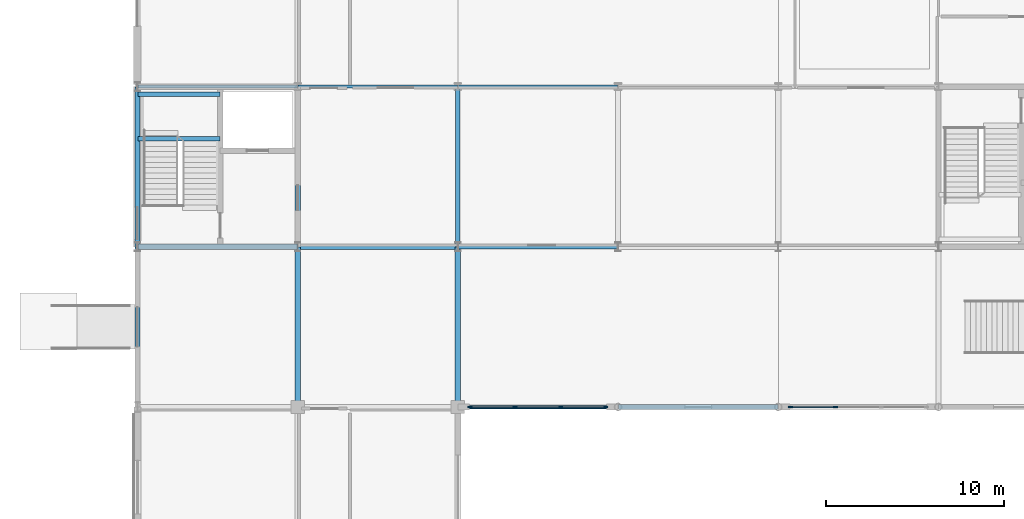
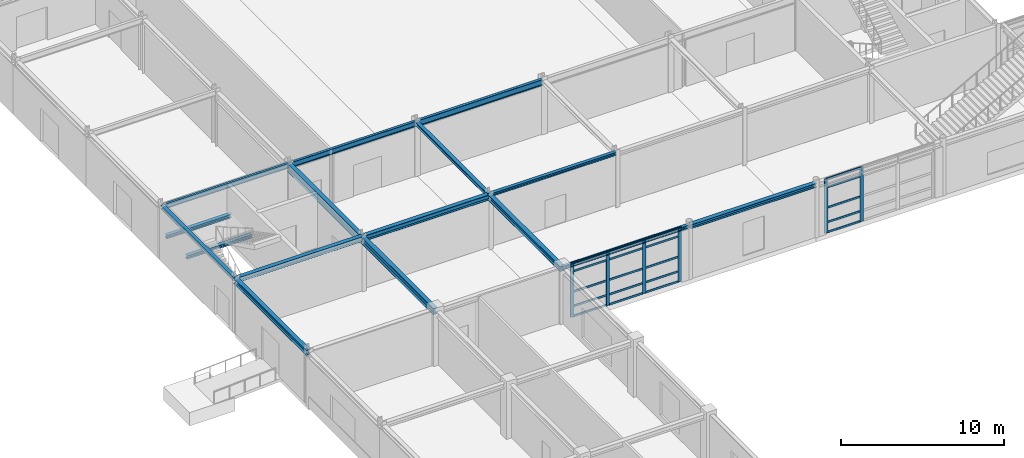
# One storey, part 30 of 72: 26 members, 16 beams, 2 elements without a shape of their own.
"""IFC4 building model written with IfcOpenShell, lengths in metres."""

from ifc_helpers import new_model, si_unit, direction, frame, origin, origin_2d, place, context, subcontext, project, spatial, rectangle, i_section, extrude, material, material_profile, profile_set, type_object, element, aggregate, save


model = new_model("IFC4")

# Units and contexts
model_context = context("Model", 3, precision=1e-05, world=origin(), true_north=direction((0.0, 1.0)))
body_context = subcontext(model_context, "Body", "Model", "MODEL_VIEW")
ifc_project = project(units=[si_unit("LENGTHUNIT", "METRE"), si_unit("AREAUNIT", "SQUARE_METRE"), si_unit("VOLUMEUNIT", "CUBIC_METRE"), si_unit("PLANEANGLEUNIT", "RADIAN"), si_unit("MASSUNIT", "GRAM", prefix="KILO")], contexts=[model_context])

# Site, building, storey
site_placement = place(None, origin())
site = spatial("IfcSite", under=ifc_project, at=site_placement, CompositionType="ELEMENT")
building_placement = place(site_placement, origin())
building = spatial("IfcBuilding", under=site, at=building_placement, Name="Palais des Congres Ocreval", CompositionType="ELEMENT")
storey_placement = place(building_placement, origin())
storey = spatial("IfcBuildingStorey", under=building, at=storey_placement, Name="L00", CompositionType="ELEMENT", Elevation=0.0)

# Beams
ifc_material_1 = material(Name="Steel S355", Category="steel")
ifc_material_profile_1 = material_profile(ifc_material_1, i_section(OverallWidth=0.169921875, OverallDepth=0.360107421875, WebThickness=0.008056640625, FlangeThickness=0.0126953125, at=origin_2d()), Name="IPE 360")
ifc_profile_set_1 = profile_set([ifc_material_profile_1], Name="Steel S355")
beam_type_1 = type_object("IfcBeamType", Name="Composite Beam IPE 360 Steel S355", PredefinedType="BEAM", material=ifc_profile_set_1)
beam_1_placement = place(storey_placement, frame((0.02001953125, 90.0, 3.875), z_axis=(1.0, 0.0, 0.0), x_axis=(0.0, 1.0, 0.0)))
element("IfcBeam", 1, at=beam_1_placement, inside=storey, type_object=beam_type_1, Name="Beam B01 L00", PredefinedType="BEAM", context=body_context, shape_type="SweptSolid", body=[
    extrude(i_section(OverallWidth=0.169921875, OverallDepth=0.360107421875, WebThickness=0.008056640625, FlangeThickness=0.0126953125, at=origin_2d()), origin(), (0.0, 0.0, 1.0), 8.9599609375),
])
ifc_material_profile_2 = material_profile(ifc_material_1, i_section(OverallWidth=0.179931640625, OverallDepth=0.39990234375, WebThickness=0.008544921875, FlangeThickness=0.013427734375, at=origin_2d()), Name="IPE 400")
ifc_profile_set_2 = profile_set([ifc_material_profile_2], Name="Steel S355")
beam_type_2 = type_object("IfcBeamType", Name="Composite Beam IPE 400 Steel S355", PredefinedType="BEAM", material=ifc_profile_set_2)
beam_2_placement = place(storey_placement, frame((9.02001953125, 90.0, 3.85498046875), z_axis=(1.0, 0.0, 0.0), x_axis=(0.0, 1.0, 0.0)))
element("IfcBeam", 2, at=beam_2_placement, inside=storey, type_object=beam_type_2, Name="Beam B02 L00", PredefinedType="BEAM", context=body_context, shape_type="SweptSolid", body=[
    extrude(i_section(OverallWidth=0.179931640625, OverallDepth=0.39990234375, WebThickness=0.008544921875, FlangeThickness=0.013427734375, at=origin_2d()), origin(), (0.0, 0.0, 1.0), 8.9599609375),
])
ifc_material_profile_3 = material_profile(ifc_material_1, i_section(OverallWidth=0.18994140625, OverallDepth=0.449951171875, WebThickness=0.009521484375, FlangeThickness=0.0146484375, at=origin_2d()), Name="IPE 450")
ifc_profile_set_3 = profile_set([ifc_material_profile_3], Name="Steel S355")
beam_type_3 = type_object("IfcBeamType", Name="Composite Beam IPE 450 Steel S355", PredefinedType="BEAM", material=ifc_profile_set_3)
beam_3_placement = place(storey_placement, frame((18.02001953125, 90.0, 3.830078125), z_axis=(1.0, 0.0, 0.0), x_axis=(0.0, 1.0, 0.0)))
element("IfcBeam", 3, at=beam_3_placement, inside=storey, type_object=beam_type_3, Name="Beam B03 L00", PredefinedType="BEAM", context=body_context, shape_type="SweptSolid", body=[
    extrude(i_section(OverallWidth=0.18994140625, OverallDepth=0.449951171875, WebThickness=0.009521484375, FlangeThickness=0.0146484375, at=origin_2d()), origin(), (0.0, 0.0, 1.0), 8.9599609375),
])

# Curtain wall, members
ifc_material_2 = material(Name="Anodized bronze aluminium and low-E glass", Category="glass")
curtain_wall_type = type_object("IfcCurtainWallType", Name="Unitised Curtain Wall 7900x4060", PredefinedType="USERDEFINED", material=ifc_material_2)
curtain_wall_1_placement = place(storey_placement, origin())
curtain_wall_1 = element("IfcCurtainWall", 4, at=curtain_wall_1_placement, inside=storey, type_object=curtain_wall_type, Name="Unitised Curtain Wall CW01 L00", ObjectType="UNITISED CURTAIN WALL", PredefinedType="USERDEFINED")
ifc_material_3 = material(Name="Anodized bronze aluminium", Category="aluminium")
ifc_material_profile_4 = material_profile(ifc_material_3, rectangle(XDim=0.074951171875, YDim=0.239990234375, at=origin_2d()), Name="ALU 75x240")
ifc_profile_set_4 = profile_set([ifc_material_profile_4], Name="Anodized bronze aluminium")
member_type_1 = type_object("IfcMemberType", Name="Curtain Wall Mullion ALU 75x240", PredefinedType="MULLION", material=ifc_profile_set_4)
member_1_placement = place(storey_placement, frame((39.216796875, 72.0, 0.0), z_axis=(0.0, 0.0, 1.0), x_axis=(0.0, -1.0, 0.0)))
member_1 = element("IfcMember", 5, at=member_1_placement, type_object=member_type_1, Name="Curtain Wall Mullion ML01", PredefinedType="MULLION", context=body_context, shape_type="SweptSolid", body=[
    extrude(rectangle(XDim=0.074951171875, YDim=0.239990234375, at=origin_2d()), origin(), (0.0, 0.0, 1.0), 4.054931640625),
])
member_2_placement = place(storey_placement, frame((36.6875, 72.0, 0.0), z_axis=(0.0, 0.0, 1.0), x_axis=(0.0, -1.0, 0.0)))
member_2 = element("IfcMember", 6, at=member_2_placement, type_object=member_type_1, Name="Curtain Wall Mullion ML01", PredefinedType="MULLION", context=body_context, shape_type="SweptSolid", body=[
    extrude(rectangle(XDim=0.074951171875, YDim=0.239990234375, at=origin_2d()), origin(), (0.0, 0.0, 1.0), 4.054931640625),
])

curtain_wall_2_placement = place(storey_placement, origin())
curtain_wall_2 = element("IfcCurtainWall", 7, at=curtain_wall_2_placement, inside=storey, type_object=curtain_wall_type, Name="Unitised Curtain Wall CW01 L00", ObjectType="UNITISED CURTAIN WALL", PredefinedType="USERDEFINED")
member_3_placement = place(storey_placement, frame((26.3125, 72.0, 0.0), z_axis=(0.0, 0.0, 1.0), x_axis=(0.0, -1.0, 0.0)))
member_3 = element("IfcMember", 8, at=member_3_placement, type_object=member_type_1, Name="Curtain Wall Mullion ML01", PredefinedType="MULLION", context=body_context, shape_type="SweptSolid", body=[
    extrude(rectangle(XDim=0.074951171875, YDim=0.239990234375, at=origin_2d()), origin(), (0.0, 0.0, 1.0), 4.054931640625),
])
member_4_placement = place(storey_placement, frame((23.783203125, 72.0, 0.0), z_axis=(0.0, 0.0, 1.0), x_axis=(0.0, -1.0, 0.0)))
member_4 = element("IfcMember", 9, at=member_4_placement, type_object=member_type_1, Name="Curtain Wall Mullion ML01", PredefinedType="MULLION", context=body_context, shape_type="SweptSolid", body=[
    extrude(rectangle(XDim=0.074951171875, YDim=0.239990234375, at=origin_2d()), origin(), (0.0, 0.0, 1.0), 4.054931640625),
])
member_5_placement = place(storey_placement, frame((21.216796875, 72.0, 0.0), z_axis=(0.0, 0.0, 1.0), x_axis=(0.0, -1.0, 0.0)))
member_5 = element("IfcMember", 10, at=member_5_placement, type_object=member_type_1, Name="Curtain Wall Mullion ML01", PredefinedType="MULLION", context=body_context, shape_type="SweptSolid", body=[
    extrude(rectangle(XDim=0.074951171875, YDim=0.239990234375, at=origin_2d()), origin(), (0.0, 0.0, 1.0), 4.054931640625),
])
member_6_placement = place(storey_placement, frame((18.6875, 72.0, 0.0), z_axis=(0.0, 0.0, 1.0), x_axis=(0.0, -1.0, 0.0)))
member_6 = element("IfcMember", 11, at=member_6_placement, type_object=member_type_1, Name="Curtain Wall Mullion ML01", PredefinedType="MULLION", context=body_context, shape_type="SweptSolid", body=[
    extrude(rectangle(XDim=0.074951171875, YDim=0.239990234375, at=origin_2d()), origin(), (0.0, 0.0, 1.0), 4.054931640625),
])

# Member
ifc_material_profile_5 = material_profile(ifc_material_3, rectangle(XDim=0.06005859375, YDim=0.14990234375, at=origin_2d()), Name="ALU 60x150")
ifc_profile_set_5 = profile_set([ifc_material_profile_5], Name="Anodized bronze aluminium")
member_type_2 = type_object("IfcMemberType", Name="Curtain Wall Transom ALU 60x150", PredefinedType="USERDEFINED", material=ifc_profile_set_5)
member_7_placement = place(storey_placement, frame((39.17919921875, 72.0, 0.030029296875), z_axis=(-1.0, 0.0, 0.0), x_axis=(0.0, -1.0, 0.0)))
member_7 = element("IfcMember", 12, at=member_7_placement, type_object=member_type_2, Name="Curtain Wall Transom TR01", ObjectType="TRANSOM", PredefinedType="USERDEFINED", context=body_context, shape_type="SweptSolid", body=[
    extrude(rectangle(XDim=0.06005859375, YDim=0.14990234375, at=origin_2d()), origin(), (0.0, 0.0, 1.0), 2.4541015625),
])

member_8_placement = place(storey_placement, frame((39.17919921875, 72.0, 0.780029296875), z_axis=(-1.0, 0.0, 0.0), x_axis=(0.0, -1.0, 0.0)))
member_8 = element("IfcMember", 13, at=member_8_placement, type_object=member_type_2, Name="Curtain Wall Transom TR01", ObjectType="TRANSOM", PredefinedType="USERDEFINED", context=body_context, shape_type="SweptSolid", body=[
    extrude(rectangle(XDim=0.06005859375, YDim=0.14990234375, at=origin_2d()), origin(), (0.0, 0.0, 1.0), 2.4541015625),
])

member_9_placement = place(storey_placement, frame((39.17919921875, 72.0, 1.872802734375), z_axis=(-1.0, 0.0, 0.0), x_axis=(0.0, -1.0, 0.0)))
member_9 = element("IfcMember", 14, at=member_9_placement, type_object=member_type_2, Name="Curtain Wall Transom TR01", ObjectType="TRANSOM", PredefinedType="USERDEFINED", context=body_context, shape_type="SweptSolid", body=[
    extrude(rectangle(XDim=0.06005859375, YDim=0.14990234375, at=origin_2d()), origin(), (0.0, 0.0, 1.0), 2.4541015625),
])

member_10_placement = place(storey_placement, frame((39.17919921875, 72.0, 3.405029296875), z_axis=(-1.0, 0.0, 0.0), x_axis=(0.0, -1.0, 0.0)))
member_10 = element("IfcMember", 15, at=member_10_placement, type_object=member_type_2, Name="Curtain Wall Transom TR01", ObjectType="TRANSOM", PredefinedType="USERDEFINED", context=body_context, shape_type="SweptSolid", body=[
    extrude(rectangle(XDim=0.06005859375, YDim=0.14990234375, at=origin_2d()), origin(), (0.0, 0.0, 1.0), 2.4541015625),
])

member_11_placement = place(storey_placement, frame((39.17919921875, 72.0, 4.02490234375), z_axis=(-1.0, 0.0, 0.0), x_axis=(0.0, -1.0, 0.0)))
member_11 = element("IfcMember", 16, at=member_11_placement, type_object=member_type_2, Name="Curtain Wall Transom TR01", ObjectType="TRANSOM", PredefinedType="USERDEFINED", context=body_context, shape_type="SweptSolid", body=[
    extrude(rectangle(XDim=0.06005859375, YDim=0.14990234375, at=origin_2d()), origin(), (0.0, 0.0, 1.0), 2.4541015625),
])

aggregate(curtain_wall_1, [member_1, member_2, member_7, member_8, member_9, member_10, member_11])

member_12_placement = place(storey_placement, frame((26.27490234375, 72.0, 0.030029296875), z_axis=(-1.0, 0.0, 0.0), x_axis=(0.0, -1.0, 0.0)))
member_12 = element("IfcMember", 17, at=member_12_placement, type_object=member_type_2, Name="Curtain Wall Transom TR01", ObjectType="TRANSOM", PredefinedType="USERDEFINED", context=body_context, shape_type="SweptSolid", body=[
    extrude(rectangle(XDim=0.06005859375, YDim=0.14990234375, at=origin_2d()), origin(), (0.0, 0.0, 1.0), 2.4541015625),
])

member_13_placement = place(storey_placement, frame((26.27490234375, 72.0, 0.780029296875), z_axis=(-1.0, 0.0, 0.0), x_axis=(0.0, -1.0, 0.0)))
member_13 = element("IfcMember", 18, at=member_13_placement, type_object=member_type_2, Name="Curtain Wall Transom TR01", ObjectType="TRANSOM", PredefinedType="USERDEFINED", context=body_context, shape_type="SweptSolid", body=[
    extrude(rectangle(XDim=0.06005859375, YDim=0.14990234375, at=origin_2d()), origin(), (0.0, 0.0, 1.0), 2.4541015625),
])

member_14_placement = place(storey_placement, frame((26.27490234375, 72.0, 1.872802734375), z_axis=(-1.0, 0.0, 0.0), x_axis=(0.0, -1.0, 0.0)))
member_14 = element("IfcMember", 19, at=member_14_placement, type_object=member_type_2, Name="Curtain Wall Transom TR01", ObjectType="TRANSOM", PredefinedType="USERDEFINED", context=body_context, shape_type="SweptSolid", body=[
    extrude(rectangle(XDim=0.06005859375, YDim=0.14990234375, at=origin_2d()), origin(), (0.0, 0.0, 1.0), 2.4541015625),
])

member_15_placement = place(storey_placement, frame((26.27490234375, 72.0, 3.405029296875), z_axis=(-1.0, 0.0, 0.0), x_axis=(0.0, -1.0, 0.0)))
member_15 = element("IfcMember", 20, at=member_15_placement, type_object=member_type_2, Name="Curtain Wall Transom TR01", ObjectType="TRANSOM", PredefinedType="USERDEFINED", context=body_context, shape_type="SweptSolid", body=[
    extrude(rectangle(XDim=0.06005859375, YDim=0.14990234375, at=origin_2d()), origin(), (0.0, 0.0, 1.0), 2.4541015625),
])

member_16_placement = place(storey_placement, frame((26.27490234375, 72.0, 4.02490234375), z_axis=(-1.0, 0.0, 0.0), x_axis=(0.0, -1.0, 0.0)))
member_16 = element("IfcMember", 21, at=member_16_placement, type_object=member_type_2, Name="Curtain Wall Transom TR01", ObjectType="TRANSOM", PredefinedType="USERDEFINED", context=body_context, shape_type="SweptSolid", body=[
    extrude(rectangle(XDim=0.06005859375, YDim=0.14990234375, at=origin_2d()), origin(), (0.0, 0.0, 1.0), 2.4541015625),
])

member_17_placement = place(storey_placement, frame((23.745849609375, 72.0, 0.030029296875), z_axis=(-1.0, 0.0, 0.0), x_axis=(0.0, -1.0, 0.0)))
member_17 = element("IfcMember", 22, at=member_17_placement, type_object=member_type_2, Name="Curtain Wall Transom TR01", ObjectType="TRANSOM", PredefinedType="USERDEFINED", context=body_context, shape_type="SweptSolid", body=[
    extrude(rectangle(XDim=0.06005859375, YDim=0.14990234375, at=origin_2d()), origin(), (0.0, 0.0, 1.0), 2.49169921875),
])

member_18_placement = place(storey_placement, frame((23.745849609375, 72.0, 0.780029296875), z_axis=(-1.0, 0.0, 0.0), x_axis=(0.0, -1.0, 0.0)))
member_18 = element("IfcMember", 23, at=member_18_placement, type_object=member_type_2, Name="Curtain Wall Transom TR01", ObjectType="TRANSOM", PredefinedType="USERDEFINED", context=body_context, shape_type="SweptSolid", body=[
    extrude(rectangle(XDim=0.06005859375, YDim=0.14990234375, at=origin_2d()), origin(), (0.0, 0.0, 1.0), 2.49169921875),
])

member_19_placement = place(storey_placement, frame((23.745849609375, 72.0, 1.872802734375), z_axis=(-1.0, 0.0, 0.0), x_axis=(0.0, -1.0, 0.0)))
member_19 = element("IfcMember", 24, at=member_19_placement, type_object=member_type_2, Name="Curtain Wall Transom TR01", ObjectType="TRANSOM", PredefinedType="USERDEFINED", context=body_context, shape_type="SweptSolid", body=[
    extrude(rectangle(XDim=0.06005859375, YDim=0.14990234375, at=origin_2d()), origin(), (0.0, 0.0, 1.0), 2.49169921875),
])

member_20_placement = place(storey_placement, frame((23.745849609375, 72.0, 3.405029296875), z_axis=(-1.0, 0.0, 0.0), x_axis=(0.0, -1.0, 0.0)))
member_20 = element("IfcMember", 25, at=member_20_placement, type_object=member_type_2, Name="Curtain Wall Transom TR01", ObjectType="TRANSOM", PredefinedType="USERDEFINED", context=body_context, shape_type="SweptSolid", body=[
    extrude(rectangle(XDim=0.06005859375, YDim=0.14990234375, at=origin_2d()), origin(), (0.0, 0.0, 1.0), 2.49169921875),
])

member_21_placement = place(storey_placement, frame((23.745849609375, 72.0, 4.02490234375), z_axis=(-1.0, 0.0, 0.0), x_axis=(0.0, -1.0, 0.0)))
member_21 = element("IfcMember", 26, at=member_21_placement, type_object=member_type_2, Name="Curtain Wall Transom TR01", ObjectType="TRANSOM", PredefinedType="USERDEFINED", context=body_context, shape_type="SweptSolid", body=[
    extrude(rectangle(XDim=0.06005859375, YDim=0.14990234375, at=origin_2d()), origin(), (0.0, 0.0, 1.0), 2.49169921875),
])

member_22_placement = place(storey_placement, frame((21.17919921875, 72.0, 0.030029296875), z_axis=(-1.0, 0.0, 0.0), x_axis=(0.0, -1.0, 0.0)))
member_22 = element("IfcMember", 27, at=member_22_placement, type_object=member_type_2, Name="Curtain Wall Transom TR01", ObjectType="TRANSOM", PredefinedType="USERDEFINED", context=body_context, shape_type="SweptSolid", body=[
    extrude(rectangle(XDim=0.06005859375, YDim=0.14990234375, at=origin_2d()), origin(), (0.0, 0.0, 1.0), 2.4541015625),
])

member_23_placement = place(storey_placement, frame((21.17919921875, 72.0, 0.780029296875), z_axis=(-1.0, 0.0, 0.0), x_axis=(0.0, -1.0, 0.0)))
member_23 = element("IfcMember", 28, at=member_23_placement, type_object=member_type_2, Name="Curtain Wall Transom TR01", ObjectType="TRANSOM", PredefinedType="USERDEFINED", context=body_context, shape_type="SweptSolid", body=[
    extrude(rectangle(XDim=0.06005859375, YDim=0.14990234375, at=origin_2d()), origin(), (0.0, 0.0, 1.0), 2.4541015625),
])

member_24_placement = place(storey_placement, frame((21.17919921875, 72.0, 1.872802734375), z_axis=(-1.0, 0.0, 0.0), x_axis=(0.0, -1.0, 0.0)))
member_24 = element("IfcMember", 29, at=member_24_placement, type_object=member_type_2, Name="Curtain Wall Transom TR01", ObjectType="TRANSOM", PredefinedType="USERDEFINED", context=body_context, shape_type="SweptSolid", body=[
    extrude(rectangle(XDim=0.06005859375, YDim=0.14990234375, at=origin_2d()), origin(), (0.0, 0.0, 1.0), 2.4541015625),
])

member_25_placement = place(storey_placement, frame((21.17919921875, 72.0, 3.405029296875), z_axis=(-1.0, 0.0, 0.0), x_axis=(0.0, -1.0, 0.0)))
member_25 = element("IfcMember", 30, at=member_25_placement, type_object=member_type_2, Name="Curtain Wall Transom TR01", ObjectType="TRANSOM", PredefinedType="USERDEFINED", context=body_context, shape_type="SweptSolid", body=[
    extrude(rectangle(XDim=0.06005859375, YDim=0.14990234375, at=origin_2d()), origin(), (0.0, 0.0, 1.0), 2.4541015625),
])

member_26_placement = place(storey_placement, frame((21.17919921875, 72.0, 4.02490234375), z_axis=(-1.0, 0.0, 0.0), x_axis=(0.0, -1.0, 0.0)))
member_26 = element("IfcMember", 31, at=member_26_placement, type_object=member_type_2, Name="Curtain Wall Transom TR01", ObjectType="TRANSOM", PredefinedType="USERDEFINED", context=body_context, shape_type="SweptSolid", body=[
    extrude(rectangle(XDim=0.06005859375, YDim=0.14990234375, at=origin_2d()), origin(), (0.0, 0.0, 1.0), 2.4541015625),
])

aggregate(curtain_wall_2, [member_3, member_4, member_5, member_6, member_12, member_13, member_14, member_15, member_16, member_17, member_18, member_19, member_20, member_21, member_22, member_23, member_24, member_25, member_26])

# Beams
ifc_material_profile_6 = material_profile(ifc_material_1, i_section(OverallWidth=0.260009765625, OverallDepth=0.260009765625, WebThickness=0.010009765625, FlangeThickness=0.017578125, at=origin_2d()), Name="HEB 260")
ifc_profile_set_6 = profile_set([ifc_material_profile_6], Name="Steel S355")
beam_type_4 = type_object("IfcBeamType", Name="Opening Lintel HEB 260 Steel S355", PredefinedType="LINTEL", material=ifc_profile_set_6)
for number, where, z_axis, x_axis, name in (
    (32, (0.0, 81.02001953125, 3.925048828125), (0.0, 1.0, 0.0), (-1.0, 0.0, 0.0), "Girder LN01 L00"),
    (33, (18.0, 81.02001953125, 3.925048828125), (0.0, 1.0, 0.0), (-1.0, 0.0, 0.0), "Girder LN01 L00"),
):
    element("IfcBeam", number, at=place(storey_placement, frame(where, z_axis=z_axis, x_axis=x_axis)), inside=storey, type_object=beam_type_4, Name=name, PredefinedType="LINTEL", context=body_context, shape_type="SweptSolid", body=[
        extrude(i_section(OverallWidth=0.260009765625, OverallDepth=0.260009765625, WebThickness=0.010009765625, FlangeThickness=0.017578125, at=origin_2d()), origin(), (0.0, 0.0, 1.0), 8.9599609375),
    ])
for number, where, z_axis, x_axis, name in (
    (34, (0.02001953125, 87.070068359375, 1.909912109375), (1.0, 0.0, 0.0), (0.0, 1.0, 0.0), "Stair Landing Support Beam ST05 L00-1"),
    (35, (0.02001953125, 89.580078125, 1.909912109375), (1.0, 0.0, 0.0), (0.0, 1.0, 0.0), "Stair Landing Support Beam ST05 L00-2"),
):
    element("IfcBeam", number, at=place(storey_placement, frame(where, z_axis=z_axis, x_axis=x_axis)), inside=storey, type_object=beam_type_4, Name=name, PredefinedType="LINTEL", context=body_context, shape_type="SweptSolid", body=[
        extrude(i_section(OverallWidth=0.260009765625, OverallDepth=0.260009765625, WebThickness=0.010009765625, FlangeThickness=0.017578125, at=origin_2d()), origin(), (0.0, 0.0, 1.0), 4.60986328125),
    ])
ifc_material_profile_7 = material_profile(ifc_material_1, i_section(OverallWidth=0.239990234375, OverallDepth=0.22998046875, WebThickness=0.007568359375, FlangeThickness=0.011962890625, at=origin_2d()), Name="HEA 240")
ifc_profile_set_7 = profile_set([ifc_material_profile_7], Name="Steel S355")
beam_type_5 = type_object("IfcBeamType", Name="Perimeter Spandrel HEA 240 Steel S355", PredefinedType="SPANDREL", material=ifc_profile_set_7)
for number, where, z_axis, x_axis, name in (
    (36, (18.02001953125, 72.0, 3.93994140625), (1.0, 0.0, 0.0), (0.0, 1.0, 0.0), "Beam SP01 L00"),
    (37, (18.02001953125, 81.0, 3.93994140625), (1.0, 0.0, 0.0), (0.0, 1.0, 0.0), "Beam SP01 L00"),
):
    element("IfcBeam", number, at=place(storey_placement, frame(where, z_axis=z_axis, x_axis=x_axis)), inside=storey, type_object=beam_type_5, Name=name, PredefinedType="SPANDREL", context=body_context, shape_type="SweptSolid", body=[
        extrude(i_section(OverallWidth=0.239990234375, OverallDepth=0.22998046875, WebThickness=0.007568359375, FlangeThickness=0.011962890625, at=origin_2d()), origin(), (0.0, 0.0, 1.0), 8.9599609375),
    ])
ifc_material_profile_8 = material_profile(ifc_material_1, i_section(OverallWidth=0.300048828125, OverallDepth=0.300048828125, WebThickness=0.010986328125, FlangeThickness=0.01904296875, at=origin_2d()), Name="HEB 300")
ifc_profile_set_8 = profile_set([ifc_material_profile_8], Name="Steel S355")
beam_type_6 = type_object("IfcBeamType", Name="Perimeter Spandrel HEB 300 Steel S355", PredefinedType="SPANDREL", material=ifc_profile_set_8)
beam_4_placement = place(storey_placement, frame((27.02001953125, 72.0, 3.905029296875), z_axis=(1.0, 0.0, 0.0), x_axis=(0.0, 1.0, 0.0)))
element("IfcBeam", 38, at=beam_4_placement, inside=storey, type_object=beam_type_6, Name="Beam SP02 L00", PredefinedType="SPANDREL", context=body_context, shape_type="SweptSolid", body=[
    extrude(i_section(OverallWidth=0.300048828125, OverallDepth=0.300048828125, WebThickness=0.010986328125, FlangeThickness=0.01904296875, at=origin_2d()), origin(), (0.0, 0.0, 1.0), 8.9599609375),
])
ifc_material_profile_9 = material_profile(ifc_material_1, i_section(OverallWidth=0.300048828125, OverallDepth=0.360107421875, WebThickness=0.012451171875, FlangeThickness=0.0224609375, at=origin_2d()), Name="HEB 360")
ifc_profile_set_9 = profile_set([ifc_material_profile_9], Name="Steel S355")
beam_type_7 = type_object("IfcBeamType", Name="Perimeter Spandrel HEB 360 Steel S355", PredefinedType="SPANDREL", material=ifc_profile_set_9)
beam_5_placement = place(storey_placement, frame((0.02001953125, 81.0, 3.875), z_axis=(1.0, 0.0, 0.0), x_axis=(0.0, 1.0, 0.0)))
element("IfcBeam", 39, at=beam_5_placement, inside=storey, type_object=beam_type_7, Name="Beam SP03 L00", PredefinedType="SPANDREL", context=body_context, shape_type="SweptSolid", body=[
    extrude(i_section(OverallWidth=0.300048828125, OverallDepth=0.360107421875, WebThickness=0.012451171875, FlangeThickness=0.0224609375, at=origin_2d()), origin(), (0.0, 0.0, 1.0), 8.9599609375),
])
ifc_material_profile_10 = material_profile(ifc_material_1, i_section(OverallWidth=0.300048828125, OverallDepth=0.39990234375, WebThickness=0.013427734375, FlangeThickness=0.02392578125, at=origin_2d()), Name="HEB 400")
ifc_profile_set_10 = profile_set([ifc_material_profile_10], Name="Steel S355")
beam_type_8 = type_object("IfcBeamType", Name="Perimeter Spandrel HEB 400 Steel S355", PredefinedType="SPANDREL", material=ifc_profile_set_10)
for number, where, z_axis, x_axis, name in (
    (40, (0.0, 72.02001953125, 3.85498046875), (0.0, 1.0, 0.0), (-1.0, 0.0, 0.0), "Girder SP04 L00"),
    (41, (9.02001953125, 81.0, 3.85498046875), (1.0, 0.0, 0.0), (0.0, 1.0, 0.0), "Beam SP04 L00"),
    (42, (18.0, 72.02001953125, 3.85498046875), (0.0, 1.0, 0.0), (-1.0, 0.0, 0.0), "Girder SP04 L00"),
):
    element("IfcBeam", number, at=place(storey_placement, frame(where, z_axis=z_axis, x_axis=x_axis)), inside=storey, type_object=beam_type_8, Name=name, PredefinedType="SPANDREL", context=body_context, shape_type="SweptSolid", body=[
        extrude(i_section(OverallWidth=0.300048828125, OverallDepth=0.39990234375, WebThickness=0.013427734375, FlangeThickness=0.02392578125, at=origin_2d()), origin(), (0.0, 0.0, 1.0), 8.9599609375),
    ])
ifc_material_profile_11 = material_profile(ifc_material_1, i_section(OverallWidth=0.300048828125, OverallDepth=0.489990234375, WebThickness=0.011962890625, FlangeThickness=0.02294921875, at=origin_2d()), Name="HEA 500")
ifc_profile_set_11 = profile_set([ifc_material_profile_11], Name="Steel S355")
beam_type_9 = type_object("IfcBeamType", Name="Primary Beam HEA 500 Steel S355", PredefinedType="BEAM", material=ifc_profile_set_11)
beam_6_placement = place(storey_placement, frame((9.0, 72.02001953125, 3.81005859375), z_axis=(0.0, 1.0, 0.0), x_axis=(-1.0, 0.0, 0.0)))
element("IfcBeam", 43, at=beam_6_placement, inside=storey, type_object=beam_type_9, Name="Girder B12 L00", PredefinedType="BEAM", context=body_context, shape_type="SweptSolid", body=[
    extrude(i_section(OverallWidth=0.300048828125, OverallDepth=0.489990234375, WebThickness=0.011962890625, FlangeThickness=0.02294921875, at=origin_2d()), origin(), (0.0, 0.0, 1.0), 8.9599609375),
])
ifc_material_profile_12 = material_profile(ifc_material_1, i_section(OverallWidth=0.300048828125, OverallDepth=0.590087890625, WebThickness=0.012939453125, FlangeThickness=0.02490234375, at=origin_2d()), Name="HEA 600")
ifc_profile_set_12 = profile_set([ifc_material_profile_12], Name="Steel S355")
beam_type_10 = type_object("IfcBeamType", Name="Primary Girder HEA 600 Steel S355", PredefinedType="BEAM", material=ifc_profile_set_12)
beam_7_placement = place(storey_placement, frame((9.0, 81.02001953125, 3.760009765625), z_axis=(0.0, 1.0, 0.0), x_axis=(-1.0, 0.0, 0.0)))
element("IfcBeam", 44, at=beam_7_placement, inside=storey, type_object=beam_type_10, Name="Girder B13 L00", PredefinedType="BEAM", context=body_context, shape_type="SweptSolid", body=[
    extrude(i_section(OverallWidth=0.300048828125, OverallDepth=0.590087890625, WebThickness=0.012939453125, FlangeThickness=0.02490234375, at=origin_2d()), origin(), (0.0, 0.0, 1.0), 8.9599609375),
])

save(model, "model.ifc")
